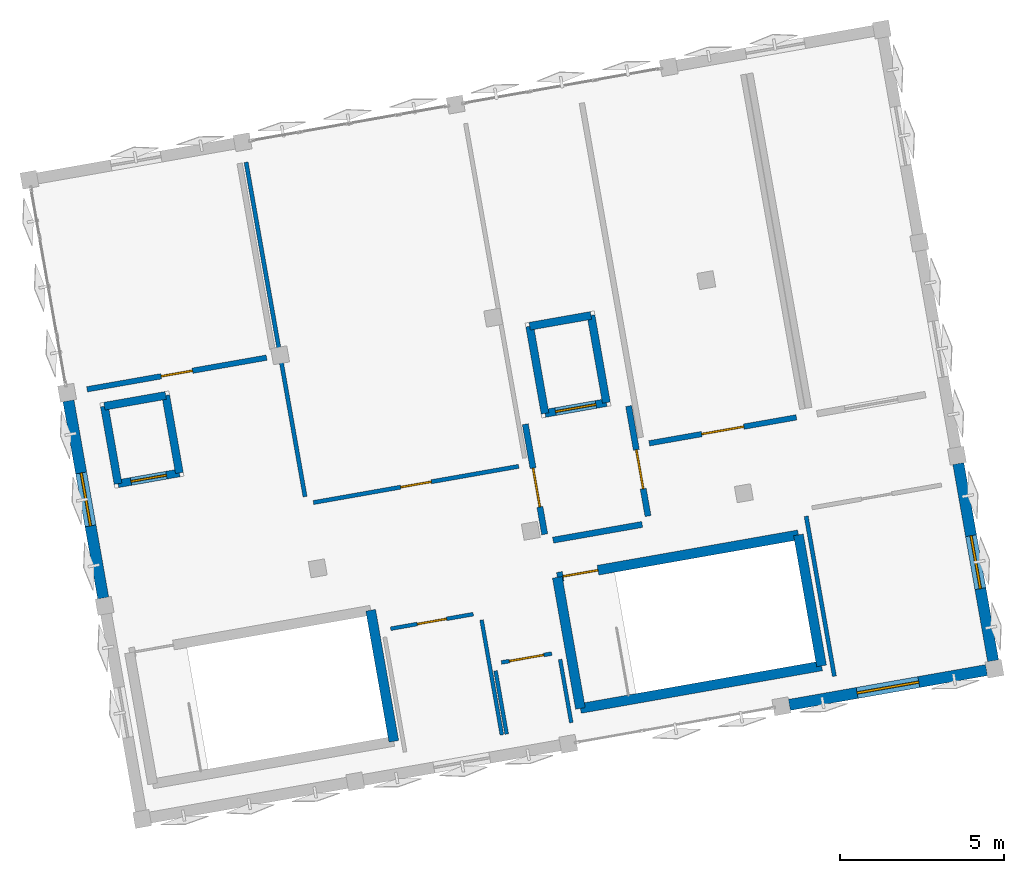
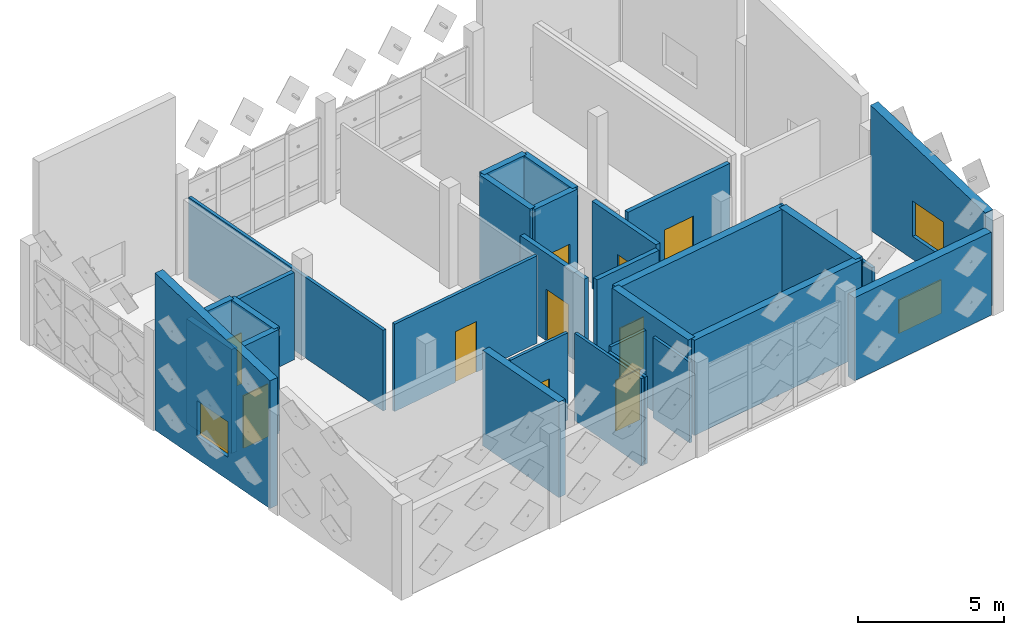
# One storey, part 7 of 11: 29 walls, 10 doors, 3 windows, 13 openings.
"""IFC4 building model written with IfcOpenShell, lengths in metres."""

from ifc_helpers import new_model, si_unit, direction, frame, frame_2d, origin, place, context, subcontext, project, spatial, polyline, rectangle, outline, extrude, material, layer, layer_set, type_object, element, fill, save


model = new_model("IFC4")

# Units and contexts
model_context = context("Model", 3, precision=1e-05, world=origin(), true_north=direction((0.0, 1.0)))
body_context = subcontext(model_context, "Body", "Model", "MODEL_VIEW")
ifc_project = project(units=[si_unit("LENGTHUNIT", "METRE"), si_unit("AREAUNIT", "SQUARE_METRE"), si_unit("VOLUMEUNIT", "CUBIC_METRE"), si_unit("PLANEANGLEUNIT", "RADIAN"), si_unit("MASSUNIT", "GRAM", prefix="KILO")], contexts=[model_context])

# Site, building, storey
site_placement = place(None, origin())
site = spatial("IfcSite", under=ifc_project, at=site_placement, CompositionType="ELEMENT")
building_placement = place(site_placement, origin())
building = spatial("IfcBuilding", under=site, at=building_placement, Name="Kharisveld Research Institute", CompositionType="ELEMENT")
storey_placement = place(building_placement, frame((0.0, 0.0, 49.199951171875)))
storey = spatial("IfcBuildingStorey", under=building, at=storey_placement, Name="L11", CompositionType="ELEMENT", Elevation=49.199951171875)

# Walls
ifc_material_1 = material(Name="Concrete C40/50", Category="concrete")
ifc_layer_1 = layer(ifc_material_1, 0.239990234375)
ifc_layer_set_1 = layer_set([ifc_layer_1], Name="WL_CORE_240")
wall_type_1 = type_object("IfcWallType", Name="WL_CORE_240", PredefinedType="SHEAR", material=ifc_layer_set_1)
wall_1_placement = place(storey_placement, frame((17.48828125, 47.3818359375, 0.0), z_axis=(0.0, 0.0, 1.0), x_axis=(-0.173615102578, 0.98481358447, 0.0)))
element("IfcWall", 1, at=wall_1_placement, inside=storey, type_object=wall_type_1, Name="WL:LFT:FFL-01:L11:W", PredefinedType="SHEAR", context=body_context, shape_type="SweptSolid", body=[
    extrude(rectangle(XDim=2.699951171875, YDim=0.239990234375, at=frame_2d((1.35009765625, 0.0))), origin(), (0.0, 0.0, 1.0), 4.35009765625),
])
wall_2_placement = place(storey_placement, frame((17.01953125, 50.040771484375, 0.0), z_axis=(0.0, 0.0, 1.0), x_axis=(0.984815882103, 0.173602068988, 0.0)))
element("IfcWall", 2, at=wall_2_placement, inside=storey, type_object=wall_type_1, Name="WL:LFT:FFL-01:L11:N", PredefinedType="SHEAR", context=body_context, shape_type="SweptSolid", body=[
    extrude(rectangle(XDim=1.89990234375, YDim=0.239990234375, at=frame_2d((0.949951171875, 0.0))), origin(), (0.0, 0.0, 1.0), 4.35009765625),
])
wall_3_placement = place(storey_placement, frame((18.890625, 50.37060546875, 0.0), z_axis=(0.0, 0.0, 1.0), x_axis=(0.173615102578, -0.98481358447, 0.0)))
element("IfcWall", 3, at=wall_3_placement, inside=storey, type_object=wall_type_1, Name="WL:LFT:FFL-01:L11:E", PredefinedType="SHEAR", context=body_context, shape_type="SweptSolid", body=[
    extrude(rectangle(XDim=2.699951171875, YDim=0.239990234375, at=frame_2d((1.35009765625, 0.0))), origin(), (0.0, 0.0, 1.0), 4.35009765625),
])

# Wall, opening, door
wall_4_placement = place(storey_placement, frame((19.359375, 47.711669921875, 0.0), z_axis=(0.0, 0.0, 1.0), x_axis=(-0.984815882103, -0.173602068988, 0.0)))
wall_4 = element("IfcWall", 4, at=wall_4_placement, inside=storey, type_object=wall_type_1, Name="WL:LFT:FFL-01:L11:S", PredefinedType="SHEAR", context=body_context, shape_type="SweptSolid", body=[
    extrude(rectangle(XDim=1.89990234375, YDim=0.239990234375, at=frame_2d((0.949951171875, 0.0))), origin(), (0.0, 0.0, 1.0), 4.35009765625),
])
opening_1_placement = place(wall_4_placement, frame((0.324951171875, 0.0, 0.0)))
opening_1 = element("IfcOpeningElement", 5, at=opening_1_placement, cuts=wall_4, Name="Opening LD-02", PredefinedType="OPENING", context=body_context, shape_type="SweptSolid", body=[
    extrude(rectangle(XDim=1.25, YDim=2.199951171875, at=frame_2d((0.625, 1.10009765625))), frame((0.0, 0.1201171875, 0.0), z_axis=(0.0, -1.0, 0.0), x_axis=(1.0, 0.0, 0.0)), (0.0, 0.0, 1.0), 0.239990234375),
])
ifc_material_2 = material(Name="Flush Painted Hardwood and Anodised Aluminium", Category="wood")
door_type_1 = type_object("IfcDoorType", Name="DR_LFT_125", OperationType="SLIDING_TO_RIGHT", PredefinedType="DOOR", material=ifc_material_2)
door_1_placement = place(opening_1_placement, origin())
door_1 = element("IfcDoor", 6, at=door_1_placement, inside=storey, type_object=door_type_1, Name="FFL-01 Lift Landing Door L11", OperationType="SLIDING_TO_RIGHT", OverallHeight=2.199951171875, OverallWidth=1.25, PredefinedType="DOOR", context=body_context, shape_type="SweptSolid", body=[
    extrude(rectangle(XDim=1.25, YDim=2.199951171875, at=frame_2d((0.625, 1.10009765625))), frame((0.0, 0.02490234375, 0.0), z_axis=(0.0, -1.0, 0.0), x_axis=(1.0, 0.0, 0.0)), (0.0, 0.0, 1.0), 0.050048828125),
])
fill(opening_1, door_1)

# Walls
wall_5_placement = place(storey_placement, frame((4.462890625, 45.2373046875, 0.0), z_axis=(0.0, 0.0, 1.0), x_axis=(-0.173646056486, 0.984808127031, 0.0)))
element("IfcWall", 7, at=wall_5_placement, inside=storey, type_object=wall_type_1, Name="WL:LFT:PL-01:L11:W", PredefinedType="SHEAR", context=body_context, shape_type="SweptSolid", body=[
    extrude(rectangle(XDim=2.39990234375, YDim=0.239990234375, at=frame_2d((1.199951171875, 0.0))), origin(), (0.0, 0.0, 1.0), 4.35009765625),
])
wall_6_placement = place(storey_placement, frame((4.046142578125, 47.600830078125, 0.0), z_axis=(0.0, 0.0, 1.0), x_axis=(0.984793905749, 0.173726691098, 0.0)))
element("IfcWall", 8, at=wall_6_placement, inside=storey, type_object=wall_type_1, Name="WL:LFT:PL-01:L11:N", PredefinedType="SHEAR", context=body_context, shape_type="SweptSolid", body=[
    extrude(rectangle(XDim=1.89990234375, YDim=0.239990234375, at=frame_2d((0.949951171875, 0.0))), origin(), (0.0, 0.0, 1.0), 4.35009765625),
])
wall_7_placement = place(storey_placement, frame((5.917236328125, 47.930908203125, 0.0), z_axis=(0.0, 0.0, 1.0), x_axis=(0.173646056486, -0.984808127031, 0.0)))
element("IfcWall", 9, at=wall_7_placement, inside=storey, type_object=wall_type_1, Name="WL:LFT:PL-01:L11:E", PredefinedType="SHEAR", context=body_context, shape_type="SweptSolid", body=[
    extrude(rectangle(XDim=2.39990234375, YDim=0.239990234375, at=frame_2d((1.199951171875, 0.0))), origin(), (0.0, 0.0, 1.0), 4.35009765625),
])

# Wall, opening, door
wall_8_placement = place(storey_placement, frame((6.333984375, 45.5673828125, 0.0), z_axis=(0.0, 0.0, 1.0), x_axis=(-0.984793905749, -0.173726691098, 0.0)))
wall_8 = element("IfcWall", 10, at=wall_8_placement, inside=storey, type_object=wall_type_1, Name="WL:LFT:PL-01:L11:S", PredefinedType="SHEAR", context=body_context, shape_type="SweptSolid", body=[
    extrude(rectangle(XDim=1.89990234375, YDim=0.239990234375, at=frame_2d((0.949951171875, 0.0))), origin(), (0.0, 0.0, 1.0), 4.35009765625),
])
opening_2_placement = place(wall_8_placement, frame((0.39990234375, 0.0, 0.0)))
opening_2 = element("IfcOpeningElement", 11, at=opening_2_placement, cuts=wall_8, Name="Opening LD-01", PredefinedType="OPENING", context=body_context, shape_type="SweptSolid", body=[
    extrude(rectangle(XDim=1.10009765625, YDim=2.199951171875, at=frame_2d((0.550048828125, 1.10009765625))), frame((0.0, 0.1201171875, 0.0), z_axis=(0.0, -1.0, 0.0), x_axis=(1.0, 0.0, 0.0)), (0.0, 0.0, 1.0), 0.239990234375),
])
ifc_material_3 = material(Name="Flush Painted Hardwood and Anodised Aluminium", Category="wood")
door_type_2 = type_object("IfcDoorType", Name="DR_LFT_110", OperationType="SLIDING_TO_LEFT", PredefinedType="DOOR", material=ifc_material_3)
door_2_placement = place(opening_2_placement, origin())
door_2 = element("IfcDoor", 12, at=door_2_placement, inside=storey, type_object=door_type_2, Name="PL-01 Lift Landing Door L11", OperationType="SLIDING_TO_LEFT", OverallHeight=2.199951171875, OverallWidth=1.10009765625, PredefinedType="DOOR", context=body_context, shape_type="SweptSolid", body=[
    extrude(rectangle(XDim=1.10009765625, YDim=2.199951171875, at=frame_2d((0.550048828125, 1.10009765625))), frame((0.0, 0.02490234375, 0.0), z_axis=(0.0, -1.0, 0.0), x_axis=(1.0, 0.0, 0.0)), (0.0, 0.0, 1.0), 0.050048828125),
])
fill(opening_2, door_2)

# Walls
ifc_material_4 = material(Name="Concrete C40/50", Category="concrete")
ifc_layer_2 = layer(ifc_material_4, 0.300048828125)
ifc_layer_set_2 = layer_set([ifc_layer_2], Name="WL_CORE_300")
wall_type_2 = type_object("IfcWallType", Name="WL_CORE_300", PredefinedType="SHEAR", material=ifc_layer_set_2)
wall_9_placement = place(storey_placement, frame((12.170166015625, 41.377197265625, 0.0), z_axis=(0.0, 0.0, 1.0), x_axis=(0.173654983803, -0.984806552883, 0.0)))
element("IfcWall", 13, at=wall_9_placement, inside=storey, type_object=wall_type_2, Name="WL:STR:ST1:L11:E", PredefinedType="SHEAR", context=body_context, shape_type="SweptSolid", body=[
    extrude(rectangle(XDim=4.060302734375, YDim=0.300048828125, at=frame_2d((2.0302734375, 0.0))), origin(), (0.0, 0.0, 1.0), 3.97998046875),
])
wall_10_placement = place(storey_placement, frame((18.5673828125, 38.382568359375, 0.0), z_axis=(0.0, 0.0, 1.0), x_axis=(-0.173606946886, 0.984815022221, 0.0)))
element("IfcWall", 14, at=wall_10_placement, inside=storey, type_object=wall_type_2, Name="WL:STR:ST2:L11:W", PredefinedType="SHEAR", context=body_context, shape_type="SweptSolid", body=[
    extrude(rectangle(XDim=4.06005859375, YDim=0.300048828125, at=frame_2d((2.030029296875, 0.0))), origin(), (0.0, 0.0, 1.0), 3.97998046875),
])

# Wall, opening, door
wall_11_placement = place(storey_placement, frame((17.862548828125, 42.380859375, 0.0), z_axis=(0.0, 0.0, 1.0), x_axis=(0.984808225754, 0.173645496596, 0.0)))
wall_11 = element("IfcWall", 15, at=wall_11_placement, inside=storey, type_object=wall_type_2, Name="WL:STR:ST2:L11:N", PredefinedType="SHEAR", context=body_context, shape_type="SweptSolid", body=[
    extrude(rectangle(XDim=7.469970703125, YDim=0.300048828125, at=frame_2d((3.73486328125, 0.0))), origin(), (0.0, 0.0, 1.0), 3.97998046875),
])
opening_3_placement = place(wall_11_placement, frame((0.179931640625, 0.0, 0.0)))
opening_3 = element("IfcOpeningElement", 16, at=opening_3_placement, cuts=wall_11, Name="Opening DS-026", PredefinedType="OPENING", context=body_context, shape_type="SweptSolid", body=[
    extrude(rectangle(XDim=1.080078125, YDim=2.14990234375, at=frame_2d((0.5400390625, 1.074951171875))), frame((0.0, 0.14990234375, 0.0), z_axis=(0.0, -1.0, 0.0), x_axis=(1.0, 0.0, 0.0)), (0.0, 0.0, 1.0), 0.300048828125),
])
ifc_material_5 = material(Name="Flush Painted Hardwood and Anodised Aluminium", Category="wood")
door_type_3 = type_object("IfcDoorType", Name="DR_FD60_108", OperationType="NOTDEFINED", PredefinedType="DOOR", material=ifc_material_5)
door_3_placement = place(opening_3_placement, origin())
door_3 = element("IfcDoor", 17, at=door_3_placement, inside=storey, type_object=door_type_3, Name="DR:STR:ST2:L11", OperationType="SINGLE_SWING_LEFT", OverallHeight=2.14990234375, OverallWidth=1.080078125, PredefinedType="DOOR", context=body_context, shape_type="SweptSolid", body=[
    extrude(rectangle(XDim=1.080078125, YDim=2.14990234375, at=frame_2d((0.5400390625, 1.074951171875))), frame((0.0, 0.02490234375, 0.0), z_axis=(0.0, -1.0, 0.0), x_axis=(1.0, 0.0, 0.0)), (0.0, 0.0, 1.0), 0.050048828125),
])
fill(opening_3, door_3)

# Walls
wall_12_placement = place(storey_placement, frame((25.218994140625, 43.677978515625, 0.0), z_axis=(0.0, 0.0, 1.0), x_axis=(0.173665267602, -0.984804739443, 0.0)))
element("IfcWall", 18, at=wall_12_placement, inside=storey, type_object=wall_type_2, Name="WL:STR:ST2:L11:E", PredefinedType="SHEAR", context=body_context, shape_type="SweptSolid", body=[
    extrude(rectangle(XDim=4.06005859375, YDim=0.300048828125, at=frame_2d((2.030029296875, 0.0))), origin(), (0.0, 0.0, 1.0), 3.97998046875),
])
wall_13_placement = place(storey_placement, frame((25.924072265625, 39.6796875, 0.0), z_axis=(0.0, 0.0, 1.0), x_axis=(-0.984809211193, -0.173639907711, 0.0)))
element("IfcWall", 19, at=wall_13_placement, inside=storey, type_object=wall_type_2, Name="WL:STR:ST2:L11:S", PredefinedType="SHEAR", context=body_context, shape_type="SweptSolid", body=[
    extrude(rectangle(XDim=7.47021484375, YDim=0.300048828125, at=frame_2d((3.735107421875, 0.0))), origin(), (0.0, 0.0, 1.0), 3.97998046875),
])

# Wall, opening, window
ifc_material_6 = material(Name="Concrete C35/45", Category="concrete")
ifc_layer_3 = layer(ifc_material_6, 0.340087890625)
ifc_layer_set_3 = layer_set([ifc_layer_3], Name="WL_EXT_340")
wall_type_3 = type_object("IfcWallType", Name="WL_EXT_340", PredefinedType="SOLIDWALL", material=ifc_layer_set_3)
wall_14_placement = place(storey_placement, frame((4.011474609375, 41.7509765625, 0.0), z_axis=(0.0, 0.0, 1.0), x_axis=(-0.173657681232, 0.98480607723, 0.0)))
wall_14 = element("IfcWall", 20, at=wall_14_placement, inside=storey, type_object=wall_type_3, Name="WL:V1:L11:W1", PredefinedType="SOLIDWALL", context=body_context, shape_type="SweptSolid", body=[
    extrude(outline(polyline([(0.0, 0.0), (6.10986328125, 0.0), (6.110107421875, 6.567138671875), (0.0, 5.332763671875), (0.0, 0.0)])), frame((0.0, 0.169921875, 0.0), z_axis=(0.0, -1.0, 0.0), x_axis=(1.0, 0.0, 0.0)), (0.0, 0.0, 1.0), 0.340087890625),
])
opening_4_placement = place(wall_14_placement, frame((2.235107421875, 0.0, 0.949951171875)))
opening_4 = element("IfcOpeningElement", 21, at=opening_4_placement, cuts=wall_14, Name="Opening WN-26", PredefinedType="OPENING", context=body_context, shape_type="SweptSolid", body=[
    extrude(rectangle(XDim=1.639892578125, YDim=1.47998046875, at=frame_2d((0.81982421875, 0.739990234375))), frame((0.0, 0.169921875, 0.0), z_axis=(0.0, -1.0, 0.0), x_axis=(1.0, 0.0, 0.0)), (0.0, 0.0, 1.0), 0.340087890625),
])
ifc_material_7 = material(Name="Low-E Double Glazing", Category="glass")
window_type_1 = type_object("IfcWindowType", Name="WN_26", PartitioningType="DOUBLE_PANEL_VERTICAL", PredefinedType="WINDOW", material=ifc_material_7)
window_1_placement = place(opening_4_placement, origin())
window_1 = element("IfcWindow", 22, at=window_1_placement, inside=storey, type_object=window_type_1, Name="WN:V1:L11:W1", OverallHeight=1.47998046875, OverallWidth=1.639892578125, PartitioningType="SINGLE_PANEL", PredefinedType="WINDOW", context=body_context, shape_type="SweptSolid", body=[
    extrude(rectangle(XDim=1.639892578125, YDim=1.47998046875, at=frame_2d((0.81982421875, 0.739990234375))), frame((0.0, 0.030029296875, 0.0), z_axis=(0.0, -1.0, 0.0), x_axis=(1.0, 0.0, 0.0)), (0.0, 0.0, 1.0), 0.06005859375),
])
fill(opening_4, window_1)

wall_15_placement = place(storey_placement, frame((30.095458984375, 45.852783203125, 0.0), z_axis=(0.0, 0.0, 1.0), x_axis=(0.173657681232, -0.98480607723, 0.0)))
wall_15 = element("IfcWall", 23, at=wall_15_placement, inside=storey, type_object=wall_type_3, Name="WL:V1:L11:E1", PredefinedType="SOLIDWALL", context=body_context, shape_type="SweptSolid", body=[
    extrude(outline(polyline([(0.0, 0.0), (6.10986328125, 0.0), (6.110107421875, 3.99951171875), (0.0, 5.23388671875), (0.0, 0.0)])), frame((0.0, 0.169921875, 0.0), z_axis=(0.0, -1.0, 0.0), x_axis=(1.0, 0.0, 0.0)), (0.0, 0.0, 1.0), 0.340087890625),
])
opening_5_placement = place(wall_15_placement, frame((2.235107421875, 0.0, 0.949951171875)))
opening_5 = element("IfcOpeningElement", 24, at=opening_5_placement, cuts=wall_15, Name="Opening WN-26", PredefinedType="OPENING", context=body_context, shape_type="SweptSolid", body=[
    extrude(rectangle(XDim=1.639892578125, YDim=1.47998046875, at=frame_2d((0.81982421875, 0.739990234375))), frame((0.0, 0.169921875, 0.0), z_axis=(0.0, -1.0, 0.0), x_axis=(1.0, 0.0, 0.0)), (0.0, 0.0, 1.0), 0.340087890625),
])
window_2_placement = place(opening_5_placement, origin())
window_2 = element("IfcWindow", 25, at=window_2_placement, inside=storey, type_object=window_type_1, Name="WN:V1:L11:E1", OverallHeight=1.47998046875, OverallWidth=1.639892578125, PartitioningType="SINGLE_PANEL", PredefinedType="WINDOW", context=body_context, shape_type="SweptSolid", body=[
    extrude(rectangle(XDim=1.639892578125, YDim=1.47998046875, at=frame_2d((0.81982421875, 0.739990234375))), frame((0.0, 0.030029296875, 0.0), z_axis=(0.0, -1.0, 0.0), x_axis=(1.0, 0.0, 0.0)), (0.0, 0.0, 1.0), 0.06005859375),
])
fill(opening_5, window_2)

wall_16_placement = place(storey_placement, frame((30.957763671875, 39.5517578125, 0.0), z_axis=(0.0, 0.0, 1.0), x_axis=(-0.984807282173, -0.173650847905, 0.0)))
wall_16 = element("IfcWall", 26, at=wall_16_placement, inside=storey, type_object=wall_type_3, Name="WL:V1:L11:S4", PredefinedType="SOLIDWALL", context=body_context, shape_type="SweptSolid", body=[
    extrude(rectangle(XDim=6.110107421875, YDim=0.340087890625, at=frame_2d((3.05517578125, 0.0))), origin(), (0.0, 0.0, 1.0), 3.469970703125),
])
opening_6_placement = place(wall_16_placement, frame((2.10009765625, 0.0, 0.949951171875)))
opening_6 = element("IfcOpeningElement", 27, at=opening_6_placement, cuts=wall_16, Name="Opening WN-29", PredefinedType="OPENING", context=body_context, shape_type="SweptSolid", body=[
    extrude(rectangle(XDim=1.909912109375, YDim=1.39990234375, at=frame_2d((0.955078125, 0.699951171875))), frame((0.0, 0.169921875, 0.0), z_axis=(0.0, -1.0, 0.0), x_axis=(1.0, 0.0, 0.0)), (0.0, 0.0, 1.0), 0.340087890625),
])
ifc_material_8 = material(Name="Low-E Double Glazing", Category="glass")
window_type_2 = type_object("IfcWindowType", Name="WN_29", PartitioningType="DOUBLE_PANEL_VERTICAL", PredefinedType="WINDOW", material=ifc_material_8)
window_3_placement = place(opening_6_placement, origin())
window_3 = element("IfcWindow", 28, at=window_3_placement, inside=storey, type_object=window_type_2, Name="WN:V1:L11:S4", OverallHeight=1.39990234375, OverallWidth=1.909912109375, PartitioningType="SINGLE_PANEL", PredefinedType="WINDOW", context=body_context, shape_type="SweptSolid", body=[
    extrude(rectangle(XDim=1.909912109375, YDim=1.39990234375, at=frame_2d((0.955078125, 0.699951171875))), frame((0.0, 0.030029296875, 0.0), z_axis=(0.0, -1.0, 0.0), x_axis=(1.0, 0.0, 0.0)), (0.0, 0.0, 1.0), 0.06005859375),
])
fill(opening_6, window_3)

# Wall, opening, door
ifc_material_9 = material(Name="Acoustic Drywall Partition", Category="mineral")
ifc_layer_4 = layer(ifc_material_9, 0.1650390625)
ifc_layer_set_4 = layer_set([ifc_layer_4], Name="WL_LAB_165")
wall_type_4 = type_object("IfcWallType", Name="WL_LAB_165", PredefinedType="PARTITIONING", material=ifc_layer_set_4)
wall_17_placement = place(storey_placement, frame((3.518310546875, 48.1171875, 0.0), z_axis=(0.0, 0.0, 1.0), x_axis=(0.984812720019, 0.173620006017, 0.0)))
wall_17 = element("IfcWall", 29, at=wall_17_placement, inside=storey, type_object=wall_type_4, Name="WL:RM:V1:L11:NW11:S", PredefinedType="PARTITIONING", context=body_context, shape_type="SweptSolid", body=[
    extrude(rectangle(XDim=5.56005859375, YDim=0.1650390625, at=frame_2d((2.780029296875, 0.0))), origin(), (0.0, 0.0, 1.0), 3.650146484375),
])
opening_7_placement = place(wall_17_placement, frame((2.294921875, 0.0, 0.0)))
opening_7 = element("IfcOpeningElement", 30, at=opening_7_placement, cuts=wall_17, Name="Opening DI-171", PredefinedType="OPENING", context=body_context, shape_type="SweptSolid", body=[
    extrude(rectangle(XDim=0.969970703125, YDim=2.1201171875, at=frame_2d((0.48486328125, 1.06005859375))), frame((0.0, 0.08251953125, 0.0), z_axis=(0.0, -1.0, 0.0), x_axis=(1.0, 0.0, 0.0)), (0.0, 0.0, 1.0), 0.1650390625),
])
ifc_material_10 = material(Name="Flush Painted Hardwood and Anodised Aluminium", Category="wood")
door_type_4 = type_object("IfcDoorType", Name="DR_VAR_03", OperationType="NOTDEFINED", PredefinedType="DOOR", material=ifc_material_10)
door_4_placement = place(opening_7_placement, origin())
door_4 = element("IfcDoor", 31, at=door_4_placement, inside=storey, type_object=door_type_4, Name="DR:RM:V1:L11:NW11:S", OperationType="SINGLE_SWING_LEFT", OverallHeight=2.1201171875, OverallWidth=0.969970703125, PredefinedType="DOOR", context=body_context, shape_type="SweptSolid", body=[
    extrude(rectangle(XDim=0.969970703125, YDim=2.1201171875, at=frame_2d((0.48486328125, 1.06005859375))), frame((0.0, 0.02490234375, 0.0), z_axis=(0.0, -1.0, 0.0), x_axis=(1.0, 0.0, 0.0)), (0.0, 0.0, 1.0), 0.050048828125),
])
fill(opening_7, door_4)

wall_18_placement = place(storey_placement, frame((20.6650390625, 46.469482421875, 0.0), z_axis=(0.0, 0.0, 1.0), x_axis=(0.984801878875, 0.173681488261, 0.0)))
wall_18 = element("IfcWall", 32, at=wall_18_placement, inside=storey, type_object=wall_type_4, Name="WL:RM:V1:L11:CNF11:S", PredefinedType="PARTITIONING", context=body_context, shape_type="SweptSolid", body=[
    extrude(rectangle(XDim=4.56005859375, YDim=0.1650390625, at=frame_2d((2.280029296875, 0.0))), origin(), (0.0, 0.0, 1.0), 3.650146484375),
])
opening_8_placement = place(wall_18_placement, frame((1.6298828125, 0.0, 0.0)))
opening_8 = element("IfcOpeningElement", 33, at=opening_8_placement, cuts=wall_18, Name="Opening DI-173", PredefinedType="OPENING", context=body_context, shape_type="SweptSolid", body=[
    extrude(rectangle(XDim=1.300048828125, YDim=2.179931640625, at=frame_2d((0.64990234375, 1.08984375))), frame((0.0, 0.08251953125, 0.0), z_axis=(0.0, -1.0, 0.0), x_axis=(1.0, 0.0, 0.0)), (0.0, 0.0, 1.0), 0.1650390625),
])
ifc_material_11 = material(Name="Flush Painted Hardwood and Anodised Aluminium", Category="wood")
door_type_5 = type_object("IfcDoorType", Name="DR_SEM_130", OperationType="DOUBLE_DOOR_SINGLE_SWING", PredefinedType="DOOR", material=ifc_material_11)
door_5_placement = place(opening_8_placement, origin())
door_5 = element("IfcDoor", 34, at=door_5_placement, inside=storey, type_object=door_type_5, Name="DR:RM:V1:L11:CNF11:S", OperationType="DOUBLE_DOOR_SINGLE_SWING", OverallHeight=2.179931640625, OverallWidth=1.300048828125, PredefinedType="DOOR", context=body_context, shape_type="SweptSolid", body=[
    extrude(rectangle(XDim=1.300048828125, YDim=2.179931640625, at=frame_2d((0.64990234375, 1.08984375))), frame((0.0, 0.02490234375, 0.0), z_axis=(0.0, -1.0, 0.0), x_axis=(1.0, 0.0, 0.0)), (0.0, 0.0, 1.0), 0.050048828125),
])
fill(opening_8, door_5)

# Wall
ifc_material_12 = material(Name="Masonry Blockwork", Category="masonry")
ifc_layer_5 = layer(ifc_material_12, 0.18505859375)
ifc_layer_set_5 = layer_set([ifc_layer_5], Name="WL_LOB_185")
wall_type_5 = type_object("IfcWallType", Name="WL_LOB_185", PredefinedType="SOLIDWALL", material=ifc_layer_set_5)
wall_19_placement = place(storey_placement, frame((17.7333984375, 43.515625, 0.0), z_axis=(0.0, 0.0, 1.0), x_axis=(0.984808483292, 0.173644035992, 0.0)))
element("IfcWall", 35, at=wall_19_placement, inside=storey, type_object=wall_type_5, Name="WL:RM:V1:L11:FFL:S", PredefinedType="SOLIDWALL", context=body_context, shape_type="SweptSolid", body=[
    extrude(rectangle(XDim=2.760009765625, YDim=0.18505859375, at=frame_2d((1.3798828125, 0.0))), origin(), (0.0, 0.0, 1.0), 3.650146484375),
])

# Wall, opening, door
wall_20_placement = place(storey_placement, frame((20.6298828125, 44.249755859375, 0.0), z_axis=(0.0, 0.0, 1.0), x_axis=(-0.173621956536, 0.984812376145, 0.0)))
wall_20 = element("IfcWall", 36, at=wall_20_placement, inside=storey, type_object=wall_type_5, Name="WL:RM:V1:L11:FFL:E", PredefinedType="SOLIDWALL", context=body_context, shape_type="SweptSolid", body=[
    extrude(rectangle(XDim=3.409912109375, YDim=0.18505859375, at=frame_2d((1.705078125, 0.0))), origin(), (0.0, 0.0, 1.0), 3.650146484375),
])
opening_9_placement = place(wall_20_placement, frame((0.85009765625, 0.0, 0.0)))
opening_9 = element("IfcOpeningElement", 37, at=opening_9_placement, cuts=wall_20, Name="Opening DI-167", PredefinedType="OPENING", context=body_context, shape_type="SweptSolid", body=[
    extrude(rectangle(XDim=1.199951171875, YDim=2.14990234375, at=frame_2d((0.60009765625, 1.074951171875))), frame((0.0, 0.092529296875, 0.0), z_axis=(0.0, -1.0, 0.0), x_axis=(1.0, 0.0, 0.0)), (0.0, 0.0, 1.0), 0.18505859375),
])
ifc_material_13 = material(Name="Flush Painted Hardwood and Anodised Aluminium", Category="wood")
door_type_6 = type_object("IfcDoorType", Name="DR_FD120_120", OperationType="NOTDEFINED", PredefinedType="DOOR", material=ifc_material_13)
door_6_placement = place(opening_9_placement, origin())
door_6 = element("IfcDoor", 38, at=door_6_placement, inside=storey, type_object=door_type_6, Name="DR:RM:V1:L11:FFL:E", OperationType="SINGLE_SWING_LEFT", OverallHeight=2.14990234375, OverallWidth=1.199951171875, PredefinedType="DOOR", context=body_context, shape_type="SweptSolid", body=[
    extrude(rectangle(XDim=1.199951171875, YDim=2.14990234375, at=frame_2d((0.60009765625, 1.074951171875))), frame((0.0, 0.02490234375, 0.0), z_axis=(0.0, -1.0, 0.0), x_axis=(1.0, 0.0, 0.0)), (0.0, 0.0, 1.0), 0.050048828125),
])
fill(opening_9, door_6)

wall_21_placement = place(storey_placement, frame((16.886474609375, 47.05224609375, 0.0), z_axis=(0.0, 0.0, 1.0), x_axis=(0.173621956536, -0.984812376145, 0.0)))
wall_21 = element("IfcWall", 39, at=wall_21_placement, inside=storey, type_object=wall_type_5, Name="WL:RM:V1:L11:FFL:W", PredefinedType="SOLIDWALL", context=body_context, shape_type="SweptSolid", body=[
    extrude(rectangle(XDim=3.409912109375, YDim=0.18505859375, at=frame_2d((1.705078125, 0.0))), origin(), (0.0, 0.0, 1.0), 3.650146484375),
])
opening_10_placement = place(wall_21_placement, frame((1.360107421875, 0.0, 0.0)))
opening_10 = element("IfcOpeningElement", 40, at=opening_10_placement, cuts=wall_21, Name="Opening DI-168", PredefinedType="OPENING", context=body_context, shape_type="SweptSolid", body=[
    extrude(rectangle(XDim=1.199951171875, YDim=2.14990234375, at=frame_2d((0.60009765625, 1.074951171875))), frame((0.0, 0.092529296875, 0.0), z_axis=(0.0, -1.0, 0.0), x_axis=(1.0, 0.0, 0.0)), (0.0, 0.0, 1.0), 0.18505859375),
])
door_7_placement = place(opening_10_placement, origin())
door_7 = element("IfcDoor", 41, at=door_7_placement, inside=storey, type_object=door_type_6, Name="DR:RM:V1:L11:FFL:W", OperationType="SINGLE_SWING_RIGHT", OverallHeight=2.14990234375, OverallWidth=1.199951171875, PredefinedType="DOOR", context=body_context, shape_type="SweptSolid", body=[
    extrude(rectangle(XDim=1.199951171875, YDim=2.14990234375, at=frame_2d((0.60009765625, 1.074951171875))), frame((0.0, 0.02490234375, 0.0), z_axis=(0.0, -1.0, 0.0), x_axis=(1.0, 0.0, 0.0)), (0.0, 0.0, 1.0), 0.050048828125),
])
fill(opening_10, door_7)

ifc_material_14 = material(Name="Insulated Stud Partition", Category="mineral")
ifc_layer_6 = layer(ifc_material_14, 0.125)
ifc_layer_set_6 = layer_set([ifc_layer_6], Name="WL_OFF_125")
wall_type_6 = type_object("IfcWallType", Name="WL_OFF_125", PredefinedType="PARTITIONING", material=ifc_layer_set_6)
wall_22_placement = place(storey_placement, frame((10.423095703125, 44.66357421875, 0.0), z_axis=(0.0, 0.0, 1.0), x_axis=(0.984804420334, 0.173667077165, 0.0)))
wall_22 = element("IfcWall", 42, at=wall_22_placement, inside=storey, type_object=wall_type_6, Name="WL:RM:V1:L11:ARC11:S", PredefinedType="PARTITIONING", context=body_context, shape_type="SweptSolid", body=[
    extrude(rectangle(XDim=6.35986328125, YDim=0.125, at=frame_2d((3.179931640625, 0.0))), origin(), (0.0, 0.0, 1.0), 3.650146484375),
])
opening_11_placement = place(wall_22_placement, frame((2.7099609375, 0.0, 0.0)))
opening_11 = element("IfcOpeningElement", 43, at=opening_11_placement, cuts=wall_22, Name="Opening DI-172", PredefinedType="OPENING", context=body_context, shape_type="SweptSolid", body=[
    extrude(rectangle(XDim=0.93994140625, YDim=2.1201171875, at=frame_2d((0.469970703125, 1.06005859375))), frame((0.0, 0.0625, 0.0), z_axis=(0.0, -1.0, 0.0), x_axis=(1.0, 0.0, 0.0)), (0.0, 0.0, 1.0), 0.125),
])
ifc_material_15 = material(Name="Flush Painted Hardwood and Anodised Aluminium", Category="wood")
door_type_7 = type_object("IfcDoorType", Name="DR_OFF_094", OperationType="NOTDEFINED", PredefinedType="DOOR", material=ifc_material_15)
door_8_placement = place(opening_11_placement, origin())
door_8 = element("IfcDoor", 44, at=door_8_placement, inside=storey, type_object=door_type_7, Name="DR:RM:V1:L11:ARC11:S", OperationType="SINGLE_SWING_RIGHT", OverallHeight=2.1201171875, OverallWidth=0.93994140625, PredefinedType="DOOR", context=body_context, shape_type="SweptSolid", body=[
    extrude(rectangle(XDim=0.93994140625, YDim=2.1201171875, at=frame_2d((0.469970703125, 1.06005859375))), frame((0.0, 0.02490234375, 0.0), z_axis=(0.0, -1.0, 0.0), x_axis=(1.0, 0.0, 0.0)), (0.0, 0.0, 1.0), 0.050048828125),
])
fill(opening_11, door_8)

# Walls
wall_23_placement = place(storey_placement, frame((8.369140625, 55.044677734375, 0.0), z_axis=(0.0, 0.0, 1.0), x_axis=(0.173654930775, -0.984806562233, 0.0)))
element("IfcWall", 45, at=wall_23_placement, inside=storey, type_object=wall_type_6, Name="WL:RM:V1:L11:ARC11:W", PredefinedType="PARTITIONING", context=body_context, shape_type="SweptSolid", body=[
    extrude(rectangle(XDim=10.360107421875, YDim=0.125, at=frame_2d((5.18017578125, 0.0))), origin(), (0.0, 0.0, 1.0), 3.3701171875),
])
wall_24_placement = place(storey_placement, frame((25.45361328125, 44.247314453125, 0.0), z_axis=(0.0, 0.0, 1.0), x_axis=(0.173658971256, -0.98480584975, 0.0)))
element("IfcWall", 46, at=wall_24_placement, inside=storey, type_object=wall_type_6, Name="WL:RM:V1:L11:WU11:W", PredefinedType="PARTITIONING", context=body_context, shape_type="SweptSolid", body=[
    extrude(rectangle(XDim=4.9599609375, YDim=0.125, at=frame_2d((2.47998046875, 0.0))), origin(), (0.0, 0.0, 1.0), 3.650146484375),
])
ifc_material_16 = material(Name="Moisture-Resistant Partition", Category="mineral")
ifc_layer_7 = layer(ifc_material_16, 0.114990234375)
ifc_layer_set_7 = layer_set([ifc_layer_7], Name="WL_WC_115")
wall_type_7 = type_object("IfcWallType", Name="WL_WC_115", PredefinedType="PARTITIONING", material=ifc_layer_set_7)
wall_25_placement = place(storey_placement, frame((16.17138671875, 37.57421875, 0.0), z_axis=(0.0, 0.0, 1.0), x_axis=(-0.173644490041, 0.984808403233, 0.0)))
element("IfcWall", 47, at=wall_25_placement, inside=storey, type_object=wall_type_7, Name="WL:RM:V1:L11:WCM:E", PredefinedType="PARTITIONING", context=body_context, shape_type="SweptSolid", body=[
    extrude(rectangle(XDim=3.56005859375, YDim=0.114990234375, at=frame_2d((1.780029296875, 0.0))), origin(), (0.0, 0.0, 1.0), 3.650146484375),
])

# Wall, opening, door
wall_26_placement = place(storey_placement, frame((15.29833984375, 41.258544921875, 0.0), z_axis=(0.0, 0.0, 1.0), x_axis=(-0.984803714572, -0.17367107924, 0.0)))
wall_26 = element("IfcWall", 48, at=wall_26_placement, inside=storey, type_object=wall_type_7, Name="WL:RM:V1:L11:WCM:N", PredefinedType="PARTITIONING", context=body_context, shape_type="SweptSolid", body=[
    extrude(rectangle(XDim=2.559814453125, YDim=0.114990234375, at=frame_2d((1.27978515625, 0.0))), origin(), (0.0, 0.0, 1.0), 3.650146484375),
])
opening_12_placement = place(wall_26_placement, frame((0.830078125, 0.0, 0.0)))
opening_12 = element("IfcOpeningElement", 49, at=opening_12_placement, cuts=wall_26, Name="Opening DI-169", PredefinedType="OPENING", context=body_context, shape_type="SweptSolid", body=[
    extrude(rectangle(XDim=0.89990234375, YDim=2.10009765625, at=frame_2d((0.449951171875, 1.050048828125))), frame((0.0, 0.0576171875, 0.0), z_axis=(0.0, -1.0, 0.0), x_axis=(1.0, 0.0, 0.0)), (0.0, 0.0, 1.0), 0.114990234375),
])
ifc_material_17 = material(Name="Flush Painted Hardwood and Anodised Aluminium", Category="wood")
door_type_8 = type_object("IfcDoorType", Name="DR_WC_090", OperationType="NOTDEFINED", PredefinedType="DOOR", material=ifc_material_17)
door_9_placement = place(opening_12_placement, origin())
door_9 = element("IfcDoor", 50, at=door_9_placement, inside=storey, type_object=door_type_8, Name="DR:RM:V1:L11:WCM:N", OperationType="SINGLE_SWING_LEFT", OverallHeight=2.10009765625, OverallWidth=0.89990234375, PredefinedType="DOOR", context=body_context, shape_type="SweptSolid", body=[
    extrude(rectangle(XDim=0.89990234375, YDim=2.10009765625, at=frame_2d((0.449951171875, 1.050048828125))), frame((0.0, 0.02490234375, 0.0), z_axis=(0.0, -1.0, 0.0), x_axis=(1.0, 0.0, 0.0)), (0.0, 0.0, 1.0), 0.050048828125),
])
fill(opening_12, door_9)

# Wall
wall_27_placement = place(storey_placement, frame((18.288818359375, 37.947509765625, 0.0), z_axis=(0.0, 0.0, 1.0), x_axis=(-0.173643211285, 0.984808628706, 0.0)))
element("IfcWall", 51, at=wall_27_placement, inside=storey, type_object=wall_type_7, Name="WL:RM:V1:L11:WCA:E", PredefinedType="PARTITIONING", context=body_context, shape_type="SweptSolid", body=[
    extrude(rectangle(XDim=1.9599609375, YDim=0.114990234375, at=frame_2d((0.97998046875, 0.0))), origin(), (0.0, 0.0, 1.0), 3.3701171875),
])

# Wall, opening, door
wall_28_placement = place(storey_placement, frame((17.693603515625, 40.05615234375, 0.0), z_axis=(0.0, 0.0, 1.0), x_axis=(-0.984797734253, -0.173704987291, 0.0)))
wall_28 = element("IfcWall", 52, at=wall_28_placement, inside=storey, type_object=wall_type_7, Name="WL:RM:V1:L11:WCA:N", PredefinedType="PARTITIONING", context=body_context, shape_type="SweptSolid", body=[
    extrude(rectangle(XDim=1.56005859375, YDim=0.114990234375, at=frame_2d((0.780029296875, 0.0))), origin(), (0.0, 0.0, 1.0), 3.650146484375),
])
opening_13_placement = place(wall_28_placement, frame((0.25, 0.0, 0.0)))
opening_13 = element("IfcOpeningElement", 53, at=opening_13_placement, cuts=wall_28, Name="Opening DI-170", PredefinedType="OPENING", context=body_context, shape_type="SweptSolid", body=[
    extrude(rectangle(XDim=1.06005859375, YDim=2.1201171875, at=frame_2d((0.530029296875, 1.06005859375))), frame((0.0, 0.0576171875, 0.0), z_axis=(0.0, -1.0, 0.0), x_axis=(1.0, 0.0, 0.0)), (0.0, 0.0, 1.0), 0.114990234375),
])
ifc_material_18 = material(Name="Flush Painted Hardwood and Anodised Aluminium", Category="wood")
door_type_9 = type_object("IfcDoorType", Name="DR_WCA_106", OperationType="NOTDEFINED", PredefinedType="DOOR", material=ifc_material_18)
door_10_placement = place(opening_13_placement, origin())
door_10 = element("IfcDoor", 54, at=door_10_placement, inside=storey, type_object=door_type_9, Name="DR:RM:V1:L11:WCA:N", OperationType="SINGLE_SWING_RIGHT", OverallHeight=2.1201171875, OverallWidth=1.06005859375, PredefinedType="DOOR", context=body_context, shape_type="SweptSolid", body=[
    extrude(rectangle(XDim=1.06005859375, YDim=2.1201171875, at=frame_2d((0.530029296875, 1.06005859375))), frame((0.0, 0.02490234375, 0.0), z_axis=(0.0, -1.0, 0.0), x_axis=(1.0, 0.0, 0.0)), (0.0, 0.0, 1.0), 0.050048828125),
])
fill(opening_13, door_10)

# Wall
wall_29_placement = place(storey_placement, frame((15.978759765625, 39.5302734375, 0.0), z_axis=(0.0, 0.0, 1.0), x_axis=(0.173643211285, -0.984808628706, 0.0)))
element("IfcWall", 55, at=wall_29_placement, inside=storey, type_object=wall_type_7, Name="WL:RM:V1:L11:WCA:W", PredefinedType="PARTITIONING", context=body_context, shape_type="SweptSolid", body=[
    extrude(rectangle(XDim=1.9599609375, YDim=0.114990234375, at=frame_2d((0.97998046875, 0.0))), origin(), (0.0, 0.0, 1.0), 3.650146484375),
])

save(model, "model.ifc")
